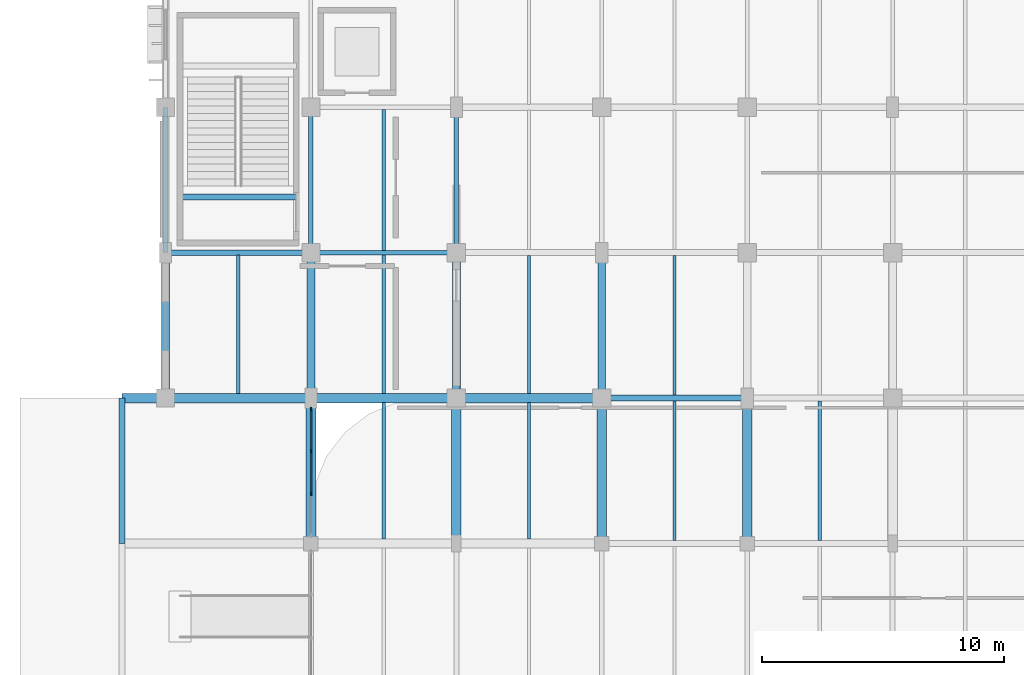
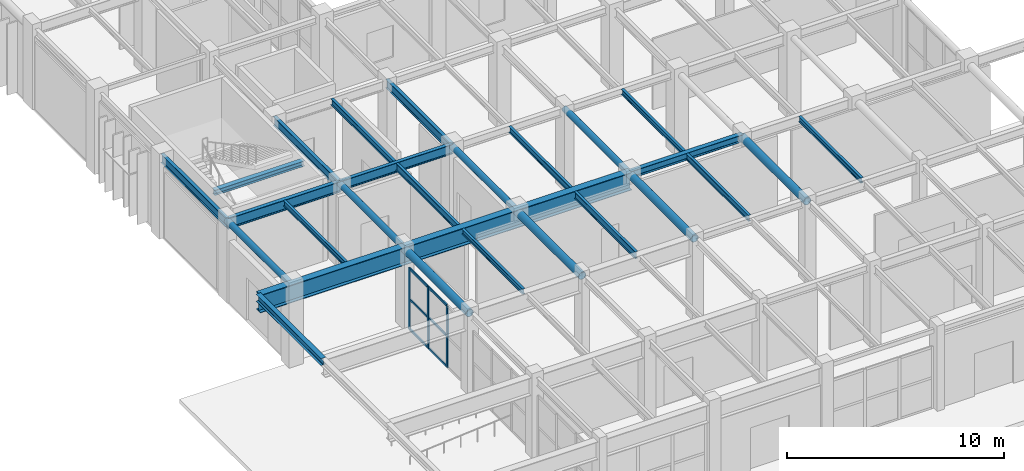
# One storey, part 5 of 76: 27 beams, 9 members, 1 element without a shape of its own.
"""IFC4 building model written with IfcOpenShell, lengths in metres."""

from ifc_helpers import new_model, si_unit, direction, frame, origin, origin_2d, place, context, subcontext, project, spatial, rectangle, hollow_circle, i_section, extrude, material, material_profile, profile_set, type_object, element, aggregate, save


model = new_model("IFC4")

# Units and contexts
model_context = context("Model", 3, precision=1e-05, world=origin(), true_north=direction((0.0, 1.0)))
body_context = subcontext(model_context, "Body", "Model", "MODEL_VIEW")
ifc_project = project(units=[si_unit("LENGTHUNIT", "METRE"), si_unit("AREAUNIT", "SQUARE_METRE"), si_unit("VOLUMEUNIT", "CUBIC_METRE"), si_unit("PLANEANGLEUNIT", "RADIAN"), si_unit("MASSUNIT", "GRAM", prefix="KILO")], contexts=[model_context])

# Site, building, storey
site_placement = place(None, origin())
site = spatial("IfcSite", under=ifc_project, at=site_placement, CompositionType="ELEMENT")
building_placement = place(site_placement, origin())
building = spatial("IfcBuilding", under=site, at=building_placement, Name="Varnakota Square Police Headquarters", CompositionType="ELEMENT")
storey_placement = place(building_placement, origin())
storey = spatial("IfcBuildingStorey", under=building, at=storey_placement, Name="L00", CompositionType="ELEMENT", Elevation=0.0)

# Beams
ifc_material_1 = material(Name="Steel IS 2062 Grade 350", Category="steel")
ifc_material_profile_1 = material_profile(ifc_material_1, hollow_circle(Radius=0.161865234375, WallThickness=0.0126953125, at=origin_2d()), Name="CHS 323.9x12.7")
ifc_profile_set_1 = profile_set([ifc_material_profile_1], Name="Steel IS 2062 Grade 350")
beam_type_1 = type_object("IfcBeamType", Name="BM-ARC-CHS324", PredefinedType="BEAM", material=ifc_profile_set_1)
for number, where, z_axis, x_axis, name in (
    (1, (6.0, 21.0, 4.337890625), (0.0, 1.0, 0.0), (-1.0, 0.0, 0.0), "BMG-L00-0934"),
    (2, (12.0, 21.0, 4.337890625), (0.0, 1.0, 0.0), (-1.0, 0.0, 0.0), "BMG-L00-0951"),
    (3, (18.0, 21.0, 4.337890625), (0.0, 1.0, 0.0), (-1.0, 0.0, 0.0), "BMG-L00-0965"),
    (4, (24.0, 21.0, 4.337890625), (0.0, 1.0, 0.0), (-1.0, 0.0, 0.0), "BMG-L00-0979"),
):
    element("IfcBeam", number, at=place(storey_placement, frame(where, z_axis=z_axis, x_axis=x_axis)), inside=storey, type_object=beam_type_1, Name=name, PredefinedType="BEAM", context=body_context, shape_type="SweptSolid", body=[
        extrude(hollow_circle(Radius=0.161865234375, WallThickness=0.0126953125, at=origin_2d()), origin(), (0.0, 0.0, 1.0), 6.0),
    ])
ifc_material_profile_2 = material_profile(ifc_material_1, hollow_circle(Radius=0.203125, WallThickness=0.01611328125, at=origin_2d()), Name="CHS 406.4x16.0")
ifc_profile_set_2 = profile_set([ifc_material_profile_2], Name="Steel IS 2062 Grade 350")
beam_type_2 = type_object("IfcBeamType", Name="BM-ARC-CHS406", PredefinedType="BEAM", material=ifc_profile_set_2)
for number, where, z_axis, x_axis, name in (
    (5, (12.0, 15.0, 4.296875), (0.0, 1.0, 0.0), (-1.0, 0.0, 0.0), "BMG-L00-0950"),
    (6, (18.0, 15.0, 4.296875), (0.0, 1.0, 0.0), (-1.0, 0.0, 0.0), "BMG-L00-0964"),
    (7, (24.0, 15.0, 4.296875), (0.0, 1.0, 0.0), (-1.0, 0.0, 0.0), "BMG-L00-0978"),
    (8, (30.0, 15.0, 4.296875), (0.0, 1.0, 0.0), (-1.0, 0.0, 0.0), "BMG-L00-0986"),
):
    element("IfcBeam", number, at=place(storey_placement, frame(where, z_axis=z_axis, x_axis=x_axis)), inside=storey, type_object=beam_type_2, Name=name, PredefinedType="BEAM", context=body_context, shape_type="SweptSolid", body=[
        extrude(hollow_circle(Radius=0.203125, WallThickness=0.01611328125, at=origin_2d()), origin(), (0.0, 0.0, 1.0), 6.0),
    ])
ifc_material_profile_3 = material_profile(ifc_material_1, i_section(OverallWidth=0.3798828125, OverallDepth=1.0, WebThickness=0.02001953125, FlangeThickness=0.031982421875, at=origin_2d()), Name="BPG 1000x380")
ifc_profile_set_3 = profile_set([ifc_material_profile_3], Name="Steel IS 2062 Grade 350")
beam_type_3 = type_object("IfcBeamType", Name="BM-BPG1000", PredefinedType="BEAM", material=ifc_profile_set_3)
beam_1_placement = place(storey_placement, frame((4.199951171875, 21.0, 4.0), z_axis=(1.0, 0.0, 0.0), x_axis=(0.0, 1.0, 0.0)))
element("IfcBeam", 9, at=beam_1_placement, inside=storey, type_object=beam_type_3, Name="Cantilever projection girder L00 Y=21", PredefinedType="BEAM", context=body_context, shape_type="SweptSolid", body=[
    extrude(i_section(OverallWidth=0.3798828125, OverallDepth=1.0, WebThickness=0.02001953125, FlangeThickness=0.031982421875, at=origin_2d()), origin(), (0.0, 0.0, 1.0), 7.800048828125),
])
beam_2_placement = place(storey_placement, frame((12.0, 21.0, 4.0), z_axis=(1.0, 0.0, 0.0), x_axis=(0.0, 1.0, 0.0)))
element("IfcBeam", 10, at=beam_2_placement, inside=storey, type_object=beam_type_3, Name="Cantilever back-span girder L00 Y=21", PredefinedType="BEAM", context=body_context, shape_type="SweptSolid", body=[
    extrude(i_section(OverallWidth=0.3798828125, OverallDepth=1.0, WebThickness=0.02001953125, FlangeThickness=0.031982421875, at=origin_2d()), origin(), (0.0, 0.0, 1.0), 12.0),
])
ifc_material_profile_4 = material_profile(ifc_material_1, i_section(OverallWidth=0.25, OverallDepth=0.300048828125, WebThickness=0.009521484375, FlangeThickness=0.010498046875, FilletRadius=0.011962890625, at=origin_2d()), Name="ISHB 300")
ifc_profile_set_4 = profile_set([ifc_material_profile_4], Name="Steel IS 2062 Grade 350")
beam_type_4 = type_object("IfcBeamType", Name="BM-ISHB300", PredefinedType="BEAM", material=ifc_profile_set_4)
beam_3_placement = place(storey_placement, frame((6.60009765625, 29.300048828125, 4.35009765625), z_axis=(1.0, 0.0, 0.0), x_axis=(0.0, 1.0, 0.0)))
element("IfcBeam", 11, at=beam_3_placement, inside=storey, type_object=beam_type_4, Name="Stair landing support beam BM-LND-0047", PredefinedType="BEAM", context=body_context, shape_type="SweptSolid", body=[
    extrude(i_section(OverallWidth=0.25, OverallDepth=0.300048828125, WebThickness=0.009521484375, FlangeThickness=0.010498046875, FilletRadius=0.011962890625, at=origin_2d()), origin(), (0.0, 0.0, 1.0), 4.7998046875),
])
ifc_material_profile_5 = material_profile(ifc_material_1, i_section(OverallWidth=0.25, OverallDepth=0.39990234375, WebThickness=0.010498046875, FlangeThickness=0.0126953125, FilletRadius=0.013916015625, at=origin_2d()), Name="ISHB 400")
ifc_profile_set_5 = profile_set([ifc_material_profile_5], Name="Steel IS 2062 Grade 350")
beam_type_5 = type_object("IfcBeamType", Name="BM-ISHB400", PredefinedType="BEAM", material=ifc_profile_set_5)
for number, where, z_axis, x_axis, name in (
    (12, (24.0, 21.0, 4.300048828125), (1.0, 0.0, 0.0), (0.0, 1.0, 0.0), "BMG-L00-0743"),
    (13, (4.199951171875, 15.0, 4.300048828125), (0.0, 1.0, 0.0), (-1.0, 0.0, 0.0), "Cantilever tip edge beam L00"),
):
    element("IfcBeam", number, at=place(storey_placement, frame(where, z_axis=z_axis, x_axis=x_axis)), inside=storey, type_object=beam_type_5, Name=name, PredefinedType="BEAM", context=body_context, shape_type="SweptSolid", body=[
        extrude(i_section(OverallWidth=0.25, OverallDepth=0.39990234375, WebThickness=0.010498046875, FlangeThickness=0.0126953125, FilletRadius=0.013916015625, at=origin_2d()), origin(), (0.0, 0.0, 1.0), 6.0),
    ])
ifc_material_profile_6 = material_profile(ifc_material_1, i_section(OverallWidth=0.139892578125, OverallDepth=0.300048828125, WebThickness=0.0078125, FlangeThickness=0.01318359375, FilletRadius=0.013916015625, at=origin_2d()), Name="ISMB 300")
ifc_profile_set_6 = profile_set([ifc_material_profile_6], Name="Steel IS 2062 Grade 350")
beam_type_6 = type_object("IfcBeamType", Name="BM-ISMB300", PredefinedType="JOIST", material=ifc_profile_set_6)
beam_4_placement = place(storey_placement, frame((9.0, 21.18798828125, 4.35009765625), z_axis=(0.0, 1.0, 0.0), x_axis=(-1.0, 0.0, 0.0)))
element("IfcBeam", 14, at=beam_4_placement, inside=storey, type_object=beam_type_6, Name="BMG-L00-1180", PredefinedType="JOIST", context=body_context, shape_type="SweptSolid", body=[
    extrude(i_section(OverallWidth=0.139892578125, OverallDepth=0.300048828125, WebThickness=0.0078125, FlangeThickness=0.01318359375, FilletRadius=0.013916015625, at=origin_2d()), origin(), (0.0, 0.0, 1.0), 5.708984375),
])
beam_5_placement = place(storey_placement, frame((15.0, 15.18798828125, 4.35009765625), z_axis=(0.0, 1.0, 0.0), x_axis=(-1.0, 0.0, 0.0)))
element("IfcBeam", 15, at=beam_5_placement, inside=storey, type_object=beam_type_6, Name="BMG-L00-1189", PredefinedType="JOIST", context=body_context, shape_type="SweptSolid", body=[
    extrude(i_section(OverallWidth=0.139892578125, OverallDepth=0.300048828125, WebThickness=0.0078125, FlangeThickness=0.01318359375, FilletRadius=0.013916015625, at=origin_2d()), origin(), (0.0, 0.0, 1.0), 5.6240234375),
])
for number, where, z_axis, x_axis, name in (
    (16, (27.0, 21.123046875, 4.35009765625), (0.0, 1.0, 0.0), (-1.0, 0.0, 0.0), "BMG-L00-1208"),
    (17, (33.0, 15.123046875, 4.35009765625), (0.0, 1.0, 0.0), (-1.0, 0.0, 0.0), "BMG-L00-1215"),
):
    element("IfcBeam", number, at=place(storey_placement, frame(where, z_axis=z_axis, x_axis=x_axis)), inside=storey, type_object=beam_type_6, Name=name, PredefinedType="JOIST", context=body_context, shape_type="SweptSolid", body=[
        extrude(i_section(OverallWidth=0.139892578125, OverallDepth=0.300048828125, WebThickness=0.0078125, FlangeThickness=0.01318359375, FilletRadius=0.013916015625, at=origin_2d()), origin(), (0.0, 0.0, 1.0), 5.75390625),
    ])
ifc_material_profile_7 = material_profile(ifc_material_1, i_section(OverallWidth=0.139892578125, OverallDepth=0.35009765625, WebThickness=0.008056640625, FlangeThickness=0.01416015625, FilletRadius=0.013916015625, at=origin_2d()), Name="ISMB 350")
ifc_profile_set_7 = profile_set([ifc_material_profile_7], Name="Steel IS 2062 Grade 350")
beam_type_7 = type_object("IfcBeamType", Name="BM-ISMB350", PredefinedType="JOIST", material=ifc_profile_set_7)
beam_6_placement = place(storey_placement, frame((15.0, 27.093017578125, 4.324951171875), z_axis=(0.0, 1.0, 0.0), x_axis=(-1.0, 0.0, 0.0)))
element("IfcBeam", 18, at=beam_6_placement, inside=storey, type_object=beam_type_7, Name="BMG-L00-1191", PredefinedType="JOIST", context=body_context, shape_type="SweptSolid", body=[
    extrude(i_section(OverallWidth=0.139892578125, OverallDepth=0.35009765625, WebThickness=0.008056640625, FlangeThickness=0.01416015625, FilletRadius=0.013916015625, at=origin_2d()), origin(), (0.0, 0.0, 1.0), 5.81396484375),
])
beam_7_placement = place(storey_placement, frame((21.0, 21.18798828125, 4.324951171875), z_axis=(0.0, 1.0, 0.0), x_axis=(-1.0, 0.0, 0.0)))
element("IfcBeam", 19, at=beam_7_placement, inside=storey, type_object=beam_type_7, Name="BMG-L00-1201", PredefinedType="JOIST", context=body_context, shape_type="SweptSolid", body=[
    extrude(i_section(OverallWidth=0.139892578125, OverallDepth=0.35009765625, WebThickness=0.008056640625, FlangeThickness=0.01416015625, FilletRadius=0.013916015625, at=origin_2d()), origin(), (0.0, 0.0, 1.0), 5.68896484375),
])
beam_8_placement = place(storey_placement, frame((27.0, 15.123046875, 4.324951171875), z_axis=(0.0, 1.0, 0.0), x_axis=(-1.0, 0.0, 0.0)))
element("IfcBeam", 20, at=beam_8_placement, inside=storey, type_object=beam_type_7, Name="BMG-L00-1207", PredefinedType="JOIST", context=body_context, shape_type="SweptSolid", body=[
    extrude(i_section(OverallWidth=0.139892578125, OverallDepth=0.35009765625, WebThickness=0.008056640625, FlangeThickness=0.01416015625, FilletRadius=0.013916015625, at=origin_2d()), origin(), (0.0, 0.0, 1.0), 5.75390625),
])
ifc_material_profile_8 = material_profile(ifc_material_1, i_section(OverallWidth=0.139892578125, OverallDepth=0.39990234375, WebThickness=0.0087890625, FlangeThickness=0.01611328125, FilletRadius=0.013916015625, at=origin_2d()), Name="ISMB 400")
ifc_profile_set_8 = profile_set([ifc_material_profile_8], Name="Steel IS 2062 Grade 350")
beam_type_8 = type_object("IfcBeamType", Name="BM-ISMB400", PredefinedType="JOIST", material=ifc_profile_set_8)
beam_9_placement = place(storey_placement, frame((15.0, 21.18798828125, 4.300048828125), z_axis=(0.0, 1.0, 0.0), x_axis=(-1.0, 0.0, 0.0)))
element("IfcBeam", 21, at=beam_9_placement, inside=storey, type_object=beam_type_8, Name="BMG-L00-1190", PredefinedType="JOIST", context=body_context, shape_type="SweptSolid", body=[
    extrude(i_section(OverallWidth=0.139892578125, OverallDepth=0.39990234375, WebThickness=0.0087890625, FlangeThickness=0.01611328125, FilletRadius=0.013916015625, at=origin_2d()), origin(), (0.0, 0.0, 1.0), 5.718994140625),
])
beam_10_placement = place(storey_placement, frame((21.0, 15.18798828125, 4.300048828125), z_axis=(0.0, 1.0, 0.0), x_axis=(-1.0, 0.0, 0.0)))
element("IfcBeam", 22, at=beam_10_placement, inside=storey, type_object=beam_type_8, Name="BMG-L00-1200", PredefinedType="JOIST", context=body_context, shape_type="SweptSolid", body=[
    extrude(i_section(OverallWidth=0.139892578125, OverallDepth=0.39990234375, WebThickness=0.0087890625, FlangeThickness=0.01611328125, FilletRadius=0.013916015625, at=origin_2d()), origin(), (0.0, 0.0, 1.0), 5.6240234375),
])
ifc_material_profile_9 = material_profile(ifc_material_1, i_section(OverallWidth=0.179931640625, OverallDepth=0.5, WebThickness=0.01025390625, FlangeThickness=0.01708984375, FilletRadius=0.01708984375, at=origin_2d()), Name="ISMB 500")
ifc_profile_set_9 = profile_set([ifc_material_profile_9], Name="Steel IS 2062 Grade 350")
beam_type_9 = type_object("IfcBeamType", Name="BM-ISMB500", PredefinedType="BEAM", material=ifc_profile_set_9)
for number, where, z_axis, x_axis, name in (
    (23, (6.0, 27.0, 4.25), (0.0, 1.0, 0.0), (-1.0, 0.0, 0.0), "BMG-L00-0935"),
    (24, (12.0, 27.0, 4.25), (0.0, 1.0, 0.0), (-1.0, 0.0, 0.0), "BMG-L00-0952"),
    (25, (18.0, 27.0, 4.25), (0.0, 1.0, 0.0), (-1.0, 0.0, 0.0), "BMG-L00-0966"),
):
    element("IfcBeam", number, at=place(storey_placement, frame(where, z_axis=z_axis, x_axis=x_axis)), inside=storey, type_object=beam_type_9, Name=name, PredefinedType="BEAM", context=body_context, shape_type="SweptSolid", body=[
        extrude(i_section(OverallWidth=0.179931640625, OverallDepth=0.5, WebThickness=0.01025390625, FlangeThickness=0.01708984375, FilletRadius=0.01708984375, at=origin_2d()), origin(), (0.0, 0.0, 1.0), 6.0),
    ])
ifc_material_profile_10 = material_profile(ifc_material_1, i_section(OverallWidth=0.18994140625, OverallDepth=0.550048828125, WebThickness=0.01123046875, FlangeThickness=0.019287109375, FilletRadius=0.01806640625, at=origin_2d()), Name="ISMB 550")
ifc_profile_set_10 = profile_set([ifc_material_profile_10], Name="Steel IS 2062 Grade 350")
beam_type_10 = type_object("IfcBeamType", Name="BM-ISMB550", PredefinedType="BEAM", material=ifc_profile_set_10)
beam_11_placement = place(storey_placement, frame((12.0, 27.0, 4.22509765625), z_axis=(1.0, 0.0, 0.0), x_axis=(0.0, 1.0, 0.0)))
element("IfcBeam", 26, at=beam_11_placement, inside=storey, type_object=beam_type_10, Name="BMG-L00-0754", PredefinedType="BEAM", context=body_context, shape_type="SweptSolid", body=[
    extrude(i_section(OverallWidth=0.18994140625, OverallDepth=0.550048828125, WebThickness=0.01123046875, FlangeThickness=0.019287109375, FilletRadius=0.01806640625, at=origin_2d()), origin(), (0.0, 0.0, 1.0), 6.0),
])
ifc_material_profile_11 = material_profile(ifc_material_1, i_section(OverallWidth=0.2099609375, OverallDepth=0.60009765625, WebThickness=0.011962890625, FlangeThickness=0.020751953125, FilletRadius=0.02001953125, at=origin_2d()), Name="ISMB 600")
ifc_profile_set_11 = profile_set([ifc_material_profile_11], Name="Steel IS 2062 Grade 350")
beam_type_11 = type_object("IfcBeamType", Name="BM-ISMB600", PredefinedType="BEAM", material=ifc_profile_set_11)
beam_12_placement = place(storey_placement, frame((6.0, 27.0, 4.199951171875), z_axis=(1.0, 0.0, 0.0), x_axis=(0.0, 1.0, 0.0)))
element("IfcBeam", 27, at=beam_12_placement, inside=storey, type_object=beam_type_11, Name="BMG-L00-0753", PredefinedType="BEAM", context=body_context, shape_type="SweptSolid", body=[
    extrude(i_section(OverallWidth=0.2099609375, OverallDepth=0.60009765625, WebThickness=0.011962890625, FlangeThickness=0.020751953125, FilletRadius=0.02001953125, at=origin_2d()), origin(), (0.0, 0.0, 1.0), 6.0),
])

# Curtain wall, members
ifc_material_2 = material(Name="Anodised Aluminium Framing", Category="aluminium")
curtain_wall_type = type_object("IfcCurtainWallType", Name="CW-SYS-A", PredefinedType="NOTDEFINED", material=ifc_material_2)
curtain_wall_placement = place(storey_placement, origin())
curtain_wall = element("IfcCurtainWall", 28, at=curtain_wall_placement, inside=storey, type_object=curtain_wall_type, Name="Unitised curtain wall CWG-L00-041", PredefinedType="NOTDEFINED")
ifc_material_3 = material(Name="Anodised Aluminium 6063-T6", Category="aluminium")
ifc_material_profile_12 = material_profile(ifc_material_3, rectangle(XDim=0.06494140625, YDim=0.159912109375, at=origin_2d()), Name="ALU MULLION 65x160")
ifc_profile_set_12 = profile_set([ifc_material_profile_12], Name="Anodised Aluminium 6063-T6")
member_type_1 = type_object("IfcMemberType", Name="CWM-150", PredefinedType="MULLION", material=ifc_profile_set_12)
member_1_placement = place(storey_placement, frame((12.0, 17.06005859375, 0.0), z_axis=(0.0, 0.0, 1.0), x_axis=(-1.0, 0.0, 0.0)))
member_1 = element("IfcMember", 29, at=member_1_placement, type_object=member_type_1, Name="CWG-L00-041 mullion 2", PredefinedType="MULLION", context=body_context, shape_type="SweptSolid", body=[
    extrude(rectangle(XDim=0.06494140625, YDim=0.159912109375, at=origin_2d()), origin(), (0.0, 0.0, 1.0), 3.489990234375),
])
member_2_placement = place(storey_placement, frame((12.0, 18.81494140625, 0.0), z_axis=(0.0, 0.0, 1.0), x_axis=(-1.0, 0.0, 0.0)))
member_2 = element("IfcMember", 30, at=member_2_placement, type_object=member_type_1, Name="CWG-L00-041 mullion 3", PredefinedType="MULLION", context=body_context, shape_type="SweptSolid", body=[
    extrude(rectangle(XDim=0.06494140625, YDim=0.159912109375, at=origin_2d()), origin(), (0.0, 0.0, 1.0), 3.489990234375),
])
member_3_placement = place(storey_placement, frame((12.0, 20.53759765625, 0.0), z_axis=(0.0, 0.0, 1.0), x_axis=(-1.0, 0.0, 0.0)))
member_3 = element("IfcMember", 31, at=member_3_placement, type_object=member_type_1, Name="CWG-L00-041 mullion 4", PredefinedType="MULLION", context=body_context, shape_type="SweptSolid", body=[
    extrude(rectangle(XDim=0.06494140625, YDim=0.159912109375, at=origin_2d()), origin(), (0.0, 0.0, 1.0), 3.489990234375),
])
ifc_material_profile_13 = material_profile(ifc_material_3, rectangle(XDim=0.06494140625, YDim=0.1298828125, at=origin_2d()), Name="ALU TRANSOM 65x130")
ifc_profile_set_13 = profile_set([ifc_material_profile_13], Name="Anodised Aluminium 6063-T6")
member_type_2 = type_object("IfcMemberType", Name="CWT-120", PredefinedType="USERDEFINED", material=ifc_profile_set_13)
member_4_placement = place(storey_placement, frame((12.0, 17.092529296875, 0.032470703125), z_axis=(0.0, 1.0, 0.0), x_axis=(-1.0, 0.0, 0.0)))
member_4 = element("IfcMember", 32, at=member_4_placement, type_object=member_type_2, Name="CWG-L00-041 transom 2.1", ObjectType="TRANSOM", PredefinedType="USERDEFINED", context=body_context, shape_type="SweptSolid", body=[
    extrude(rectangle(XDim=0.06494140625, YDim=0.1298828125, at=origin_2d()), origin(), (0.0, 0.0, 1.0), 1.68994140625),
])
member_5_placement = place(storey_placement, frame((12.0, 17.092529296875, 1.7451171875), z_axis=(0.0, 1.0, 0.0), x_axis=(-1.0, 0.0, 0.0)))
member_5 = element("IfcMember", 33, at=member_5_placement, type_object=member_type_2, Name="CWG-L00-041 transom 2.2", ObjectType="TRANSOM", PredefinedType="USERDEFINED", context=body_context, shape_type="SweptSolid", body=[
    extrude(rectangle(XDim=0.06494140625, YDim=0.1298828125, at=origin_2d()), origin(), (0.0, 0.0, 1.0), 1.68994140625),
])
member_6_placement = place(storey_placement, frame((12.0, 17.092529296875, 3.45751953125), z_axis=(0.0, 1.0, 0.0), x_axis=(-1.0, 0.0, 0.0)))
member_6 = element("IfcMember", 34, at=member_6_placement, type_object=member_type_2, Name="CWG-L00-041 transom 2.3", ObjectType="TRANSOM", PredefinedType="USERDEFINED", context=body_context, shape_type="SweptSolid", body=[
    extrude(rectangle(XDim=0.06494140625, YDim=0.1298828125, at=origin_2d()), origin(), (0.0, 0.0, 1.0), 1.68994140625),
])
member_7_placement = place(storey_placement, frame((12.0, 18.847412109375, 0.032470703125), z_axis=(0.0, 1.0, 0.0), x_axis=(-1.0, 0.0, 0.0)))
member_7 = element("IfcMember", 35, at=member_7_placement, type_object=member_type_2, Name="CWG-L00-041 transom 3.1", ObjectType="TRANSOM", PredefinedType="USERDEFINED", context=body_context, shape_type="SweptSolid", body=[
    extrude(rectangle(XDim=0.06494140625, YDim=0.1298828125, at=origin_2d()), origin(), (0.0, 0.0, 1.0), 1.657470703125),
])
member_8_placement = place(storey_placement, frame((12.0, 18.847412109375, 1.7451171875), z_axis=(0.0, 1.0, 0.0), x_axis=(-1.0, 0.0, 0.0)))
member_8 = element("IfcMember", 36, at=member_8_placement, type_object=member_type_2, Name="CWG-L00-041 transom 3.2", ObjectType="TRANSOM", PredefinedType="USERDEFINED", context=body_context, shape_type="SweptSolid", body=[
    extrude(rectangle(XDim=0.06494140625, YDim=0.1298828125, at=origin_2d()), origin(), (0.0, 0.0, 1.0), 1.657470703125),
])
member_9_placement = place(storey_placement, frame((12.0, 18.847412109375, 3.45751953125), z_axis=(0.0, 1.0, 0.0), x_axis=(-1.0, 0.0, 0.0)))
member_9 = element("IfcMember", 37, at=member_9_placement, type_object=member_type_2, Name="CWG-L00-041 transom 3.3", ObjectType="TRANSOM", PredefinedType="USERDEFINED", context=body_context, shape_type="SweptSolid", body=[
    extrude(rectangle(XDim=0.06494140625, YDim=0.1298828125, at=origin_2d()), origin(), (0.0, 0.0, 1.0), 1.657470703125),
])
aggregate(curtain_wall, [member_1, member_2, member_3, member_4, member_5, member_6, member_7, member_8, member_9])

save(model, "model.ifc")
